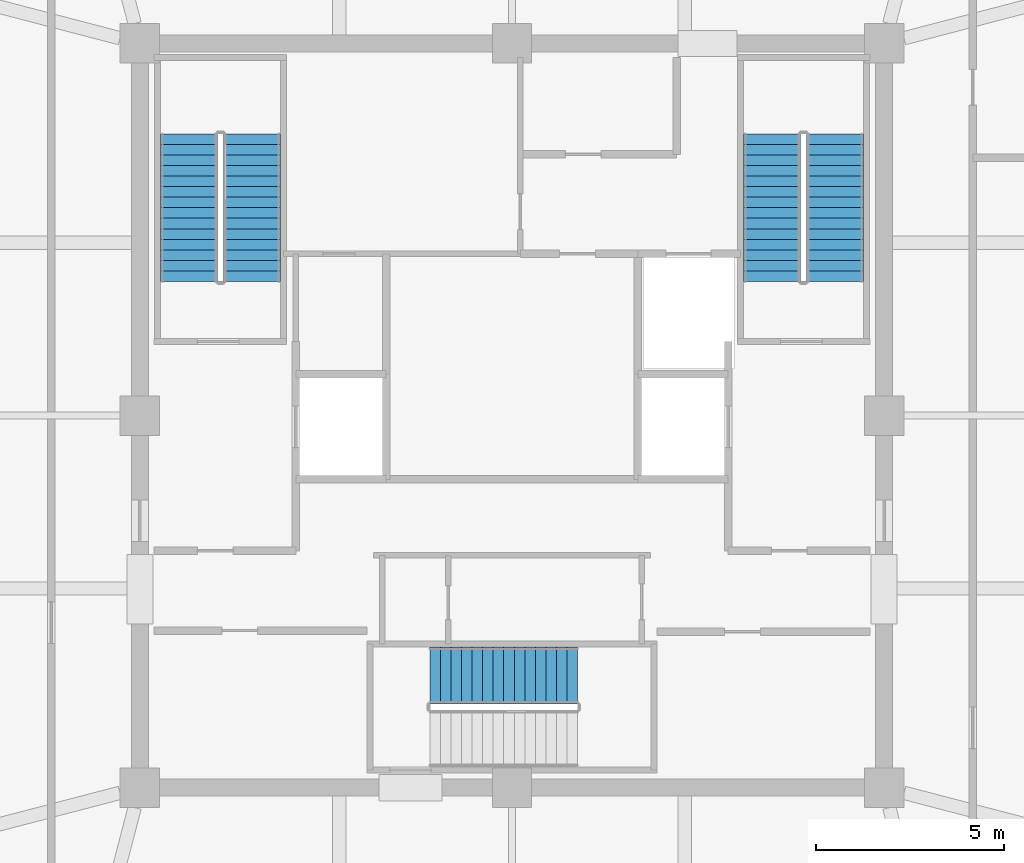
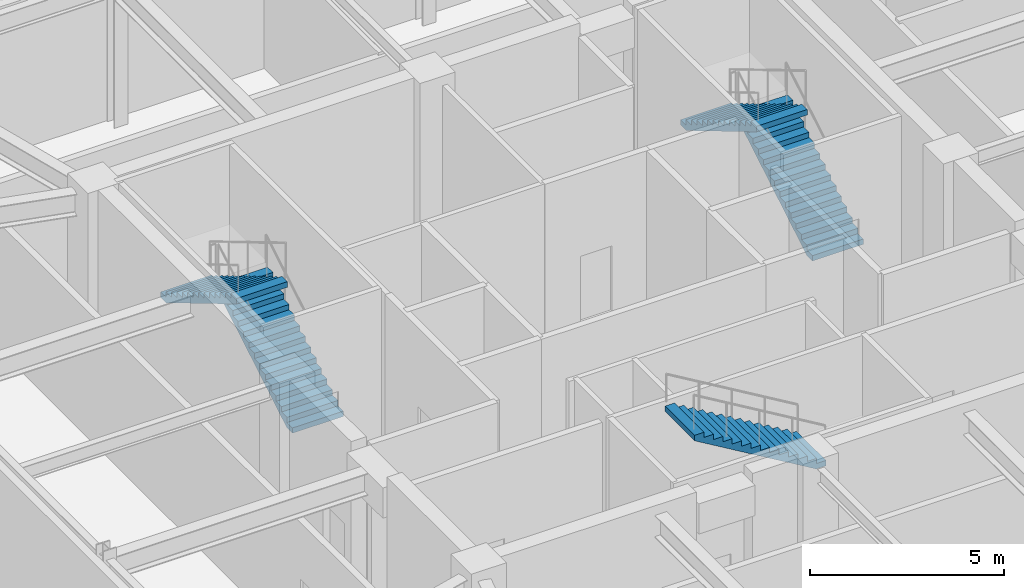
# One storey, part 4 of 5: 5 stair flights, 3 elements without a shape of their own.
"""IFC4 building model written with IfcOpenShell, lengths in metres."""

from ifc_helpers import new_model, si_unit, direction, frame, origin, place, context, subcontext, project, spatial, polyline, outline, extrude, material, type_object, element, aggregate, save


model = new_model("IFC4")

# Units and contexts
model_context = context("Model", 3, precision=1e-05, world=origin(), true_north=direction((0.0, 1.0)))
body_context = subcontext(model_context, "Body", "Model", "MODEL_VIEW")
ifc_project = project(units=[si_unit("LENGTHUNIT", "METRE"), si_unit("AREAUNIT", "SQUARE_METRE"), si_unit("VOLUMEUNIT", "CUBIC_METRE"), si_unit("PLANEANGLEUNIT", "RADIAN"), si_unit("MASSUNIT", "GRAM", prefix="KILO")], contexts=[model_context])

# Site, building, storey
site_placement = place(None, origin())
site = spatial("IfcSite", under=ifc_project, at=site_placement, CompositionType="ELEMENT")
building_placement = place(site_placement, origin())
building = spatial("IfcBuilding", under=site, at=building_placement, Name="Kolvaren Belvedere", CompositionType="ELEMENT")
storey_placement = place(building_placement, frame((0.0, 0.0, 277.39990234375)))
storey = spatial("IfcBuildingStorey", under=building, at=storey_placement, Name="L79", CompositionType="ELEMENT", Elevation=277.39990234375)

# Stair, stair flights
ifc_material_1 = material(Name="Concrete C50/60", Category="concrete")
stair_type = type_object("IfcStairType", Name="ST-CORE-1520", PredefinedType="HALF_TURN_STAIR", material=ifc_material_1)
stair_1_placement = place(storey_placement, origin())
stair_1 = element("IfcStair", 1, at=stair_1_placement, inside=storey, type_object=stair_type, Name="L79 Protected Exit Stair ST-1", PredefinedType="HALF_TURN_STAIR")
ifc_material_2 = material(Name="Concrete C50/60", Category="concrete")
stair_flight_type = type_object("IfcStairFlightType", Name="SF-STR-1520", PredefinedType="STRAIGHT", material=ifc_material_2)
stair_flight_1_placement = place(storey_placement, frame((-6.919921875, 3.570068359375, 0.0), z_axis=(0.0, 0.0, 1.0), x_axis=(0.0, 1.0, 0.0)))
stair_flight_1 = element("IfcStairFlight", 2, at=stair_flight_1_placement, type_object=stair_flight_type, Name="ST-1 flight 1", NumberOfRisers=15, NumberOfTreads=14, PredefinedType="STRAIGHT", RiserHeight=0.166666667, TreadLength=0.28, context=body_context, shape_type="SweptSolid", body=[
    extrude(outline(polyline([(0.0, 0.0), (0.0, 0.166748046875), (0.280029296875, 0.166748046875), (0.280029296875, 0.333251953125), (0.56005859375, 0.333251953125), (0.56005859375, 0.5), (0.840087890625, 0.5), (0.840087890625, 0.666748046875), (1.1201171875, 0.666748046875), (1.1201171875, 0.833251953125), (1.39990234375, 0.833251953125), (1.39990234375, 1.0), (1.679931640625, 1.0), (1.679931640625, 1.166748046875), (1.9599609375, 1.166748046875), (1.9599609375, 1.333251953125), (2.239990234375, 1.333251953125), (2.239990234375, 1.5), (2.52001953125, 1.5), (2.52001953125, 1.666748046875), (2.800048828125, 1.666748046875), (2.800048828125, 1.833251953125), (3.080078125, 1.833251953125), (3.080078125, 2.0), (3.360107421875, 2.0), (3.360107421875, 2.166748046875), (3.639892578125, 2.166748046875), (3.639892578125, 2.333251953125), (3.919921875, 2.333251953125), (3.919921875, 2.5), (3.919921875, 2.158935546875), (0.29296875, 0.0), (0.0, 0.0)])), frame((0.0, 0.760009765625, 0.0), z_axis=(0.0, -1.0, 0.0), x_axis=(1.0, 0.0, 0.0)), (0.0, 0.0, 1.0), 1.52001953125),
])
stair_flight_2_placement = place(storey_placement, frame((-8.590087890625, 7.489990234375, 2.5), z_axis=(0.0, 0.0, 1.0), x_axis=(0.0, -1.0, 0.0)))
stair_flight_2 = element("IfcStairFlight", 3, at=stair_flight_2_placement, type_object=stair_flight_type, Name="ST-1 flight 2", NumberOfRisers=15, NumberOfTreads=14, PredefinedType="STRAIGHT", RiserHeight=0.166666667, TreadLength=0.28, context=body_context, shape_type="SweptSolid", body=[
    extrude(outline(polyline([(0.0, 0.0), (0.0, 0.166748046875), (0.280029296875, 0.166748046875), (0.280029296875, 0.333251953125), (0.56005859375, 0.333251953125), (0.56005859375, 0.5), (0.840087890625, 0.5), (0.840087890625, 0.666748046875), (1.1201171875, 0.666748046875), (1.1201171875, 0.833251953125), (1.39990234375, 0.833251953125), (1.39990234375, 1.0), (1.679931640625, 1.0), (1.679931640625, 1.166748046875), (1.9599609375, 1.166748046875), (1.9599609375, 1.333251953125), (2.239990234375, 1.333251953125), (2.239990234375, 1.5), (2.52001953125, 1.5), (2.52001953125, 1.666748046875), (2.800048828125, 1.666748046875), (2.800048828125, 1.833251953125), (3.080078125, 1.833251953125), (3.080078125, 2.0), (3.360107421875, 2.0), (3.360107421875, 2.166748046875), (3.639892578125, 2.166748046875), (3.639892578125, 2.333251953125), (3.919921875, 2.333251953125), (3.919921875, 2.5), (3.919921875, 2.158935546875), (0.29296875, 0.0), (0.0, 0.0)])), frame((0.0, 0.760009765625, 0.0), z_axis=(0.0, -1.0, 0.0), x_axis=(1.0, 0.0, 0.0)), (0.0, 0.0, 1.0), 1.52001953125),
])
aggregate(stair_1, [stair_flight_1, stair_flight_2])

stair_2_placement = place(storey_placement, origin())
stair_2 = element("IfcStair", 4, at=stair_2_placement, inside=storey, type_object=stair_type, Name="L79 Protected Exit Stair ST-2", PredefinedType="HALF_TURN_STAIR")
stair_flight_3_placement = place(storey_placement, frame((8.590087890625, 3.570068359375, 0.0), z_axis=(0.0, 0.0, 1.0), x_axis=(0.0, 1.0, 0.0)))
stair_flight_3 = element("IfcStairFlight", 5, at=stair_flight_3_placement, type_object=stair_flight_type, Name="ST-2 flight 1", NumberOfRisers=15, NumberOfTreads=14, PredefinedType="STRAIGHT", RiserHeight=0.166666667, TreadLength=0.28, context=body_context, shape_type="SweptSolid", body=[
    extrude(outline(polyline([(0.0, 0.0), (0.0, 0.166748046875), (0.280029296875, 0.166748046875), (0.280029296875, 0.333251953125), (0.56005859375, 0.333251953125), (0.56005859375, 0.5), (0.840087890625, 0.5), (0.840087890625, 0.666748046875), (1.1201171875, 0.666748046875), (1.1201171875, 0.833251953125), (1.39990234375, 0.833251953125), (1.39990234375, 1.0), (1.679931640625, 1.0), (1.679931640625, 1.166748046875), (1.9599609375, 1.166748046875), (1.9599609375, 1.333251953125), (2.239990234375, 1.333251953125), (2.239990234375, 1.5), (2.52001953125, 1.5), (2.52001953125, 1.666748046875), (2.800048828125, 1.666748046875), (2.800048828125, 1.833251953125), (3.080078125, 1.833251953125), (3.080078125, 2.0), (3.360107421875, 2.0), (3.360107421875, 2.166748046875), (3.639892578125, 2.166748046875), (3.639892578125, 2.333251953125), (3.919921875, 2.333251953125), (3.919921875, 2.5), (3.919921875, 2.158935546875), (0.29296875, 0.0), (0.0, 0.0)])), frame((0.0, 0.760009765625, 0.0), z_axis=(0.0, -1.0, 0.0), x_axis=(1.0, 0.0, 0.0)), (0.0, 0.0, 1.0), 1.52001953125),
])
stair_flight_4_placement = place(storey_placement, frame((6.919921875, 7.489990234375, 2.5), z_axis=(0.0, 0.0, 1.0), x_axis=(0.0, -1.0, 0.0)))
stair_flight_4 = element("IfcStairFlight", 6, at=stair_flight_4_placement, type_object=stair_flight_type, Name="ST-2 flight 2", NumberOfRisers=15, NumberOfTreads=14, PredefinedType="STRAIGHT", RiserHeight=0.166666667, TreadLength=0.28, context=body_context, shape_type="SweptSolid", body=[
    extrude(outline(polyline([(0.0, 0.0), (0.0, 0.166748046875), (0.280029296875, 0.166748046875), (0.280029296875, 0.333251953125), (0.56005859375, 0.333251953125), (0.56005859375, 0.5), (0.840087890625, 0.5), (0.840087890625, 0.666748046875), (1.1201171875, 0.666748046875), (1.1201171875, 0.833251953125), (1.39990234375, 0.833251953125), (1.39990234375, 1.0), (1.679931640625, 1.0), (1.679931640625, 1.166748046875), (1.9599609375, 1.166748046875), (1.9599609375, 1.333251953125), (2.239990234375, 1.333251953125), (2.239990234375, 1.5), (2.52001953125, 1.5), (2.52001953125, 1.666748046875), (2.800048828125, 1.666748046875), (2.800048828125, 1.833251953125), (3.080078125, 1.833251953125), (3.080078125, 2.0), (3.360107421875, 2.0), (3.360107421875, 2.166748046875), (3.639892578125, 2.166748046875), (3.639892578125, 2.333251953125), (3.919921875, 2.333251953125), (3.919921875, 2.5), (3.919921875, 2.158935546875), (0.29296875, 0.0), (0.0, 0.0)])), frame((0.0, 0.760009765625, 0.0), z_axis=(0.0, -1.0, 0.0), x_axis=(1.0, 0.0, 0.0)), (0.0, 0.0, 1.0), 1.52001953125),
])
aggregate(stair_2, [stair_flight_3, stair_flight_4])

# Stair, stair flight
stair_3_placement = place(storey_placement, origin())
stair_3 = element("IfcStair", 7, at=stair_3_placement, inside=storey, type_object=stair_type, Name="L79 Protected Exit Stair ST-3", PredefinedType="HALF_TURN_STAIR")
stair_flight_5_placement = place(storey_placement, frame((1.739990234375, -6.919921875, 2.5), z_axis=(0.0, 0.0, 1.0), x_axis=(-1.0, 0.0, 0.0)))
stair_flight_5 = element("IfcStairFlight", 8, at=stair_flight_5_placement, type_object=stair_flight_type, Name="ST-3 flight 2", NumberOfRisers=15, NumberOfTreads=14, PredefinedType="STRAIGHT", RiserHeight=0.166666667, TreadLength=0.28, context=body_context, shape_type="SweptSolid", body=[
    extrude(outline(polyline([(0.0, 0.0), (0.0, 0.166748046875), (0.280029296875, 0.166748046875), (0.280029296875, 0.333251953125), (0.56005859375, 0.333251953125), (0.56005859375, 0.5), (0.840087890625, 0.5), (0.840087890625, 0.666748046875), (1.1201171875, 0.666748046875), (1.1201171875, 0.833251953125), (1.39990234375, 0.833251953125), (1.39990234375, 1.0), (1.679931640625, 1.0), (1.679931640625, 1.166748046875), (1.9599609375, 1.166748046875), (1.9599609375, 1.333251953125), (2.239990234375, 1.333251953125), (2.239990234375, 1.5), (2.52001953125, 1.5), (2.52001953125, 1.666748046875), (2.800048828125, 1.666748046875), (2.800048828125, 1.833251953125), (3.080078125, 1.833251953125), (3.080078125, 2.0), (3.360107421875, 2.0), (3.360107421875, 2.166748046875), (3.639892578125, 2.166748046875), (3.639892578125, 2.333251953125), (3.919921875, 2.333251953125), (3.919921875, 2.5), (3.919921875, 2.158935546875), (0.29296875, 0.0), (0.0, 0.0)])), frame((0.0, 0.760009765625, 0.0), z_axis=(0.0, -1.0, 0.0), x_axis=(1.0, 0.0, 0.0)), (0.0, 0.0, 1.0), 1.52001953125),
])
aggregate(stair_3, [stair_flight_5])

save(model, "model.ifc")
